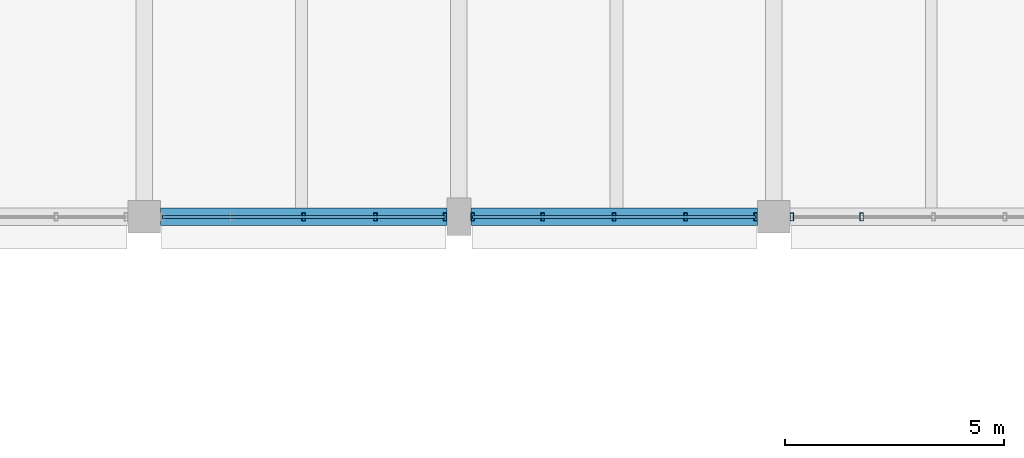
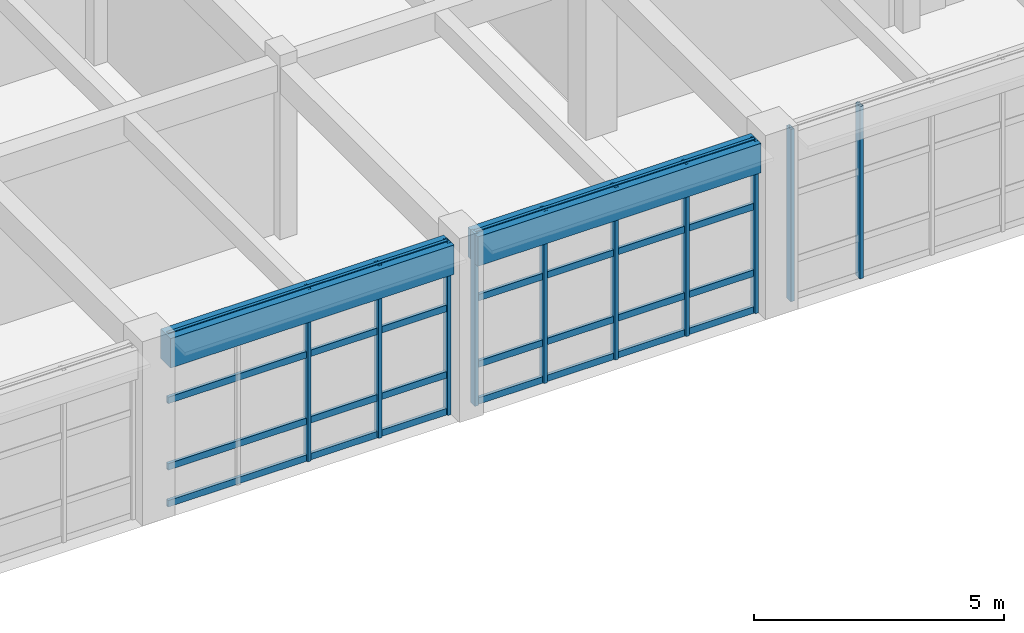
# One storey, part 61 of 171: 18 members, 2 beams, 3 elements without a shape of their own.
"""IFC4 building model written with IfcOpenShell, lengths in metres."""

from ifc_helpers import new_model, si_unit, direction, frame, origin, origin_2d, place, context, subcontext, project, spatial, rectangle, hollow_rectangle, extrude, material, material_profile, profile_set, type_object, element, aggregate, save


model = new_model("IFC4")

# Units and contexts
model_context = context("Model", 3, precision=1e-05, world=origin(), true_north=direction((0.0, 1.0)))
body_context = subcontext(model_context, "Body", "Model", "MODEL_VIEW")
ifc_project = project(units=[si_unit("LENGTHUNIT", "METRE"), si_unit("AREAUNIT", "SQUARE_METRE"), si_unit("VOLUMEUNIT", "CUBIC_METRE"), si_unit("PLANEANGLEUNIT", "RADIAN"), si_unit("MASSUNIT", "GRAM", prefix="KILO")], contexts=[model_context])

# Site, building, storey
site_placement = place(None, origin())
site = spatial("IfcSite", under=ifc_project, at=site_placement, CompositionType="ELEMENT")
building_placement = place(site_placement, origin())
building = spatial("IfcBuilding", under=site, at=building_placement, Name="Thalmaran Polytechnic", CompositionType="ELEMENT")
storey_placement = place(building_placement, frame((0.0, 0.0, 5.39990234375)))
storey = spatial("IfcBuildingStorey", under=building, at=storey_placement, Name="L01", CompositionType="ELEMENT", Elevation=5.39990234375)

# Beams
ifc_material_1 = material(Name="Concrete C40/50", Category="concrete")
ifc_material_profile_1 = material_profile(ifc_material_1, rectangle(XDim=0.39990234375, YDim=0.719970703125, at=origin_2d()), Name="RC 400x720")
ifc_profile_set_1 = profile_set([ifc_material_profile_1], Name="Concrete C40/50")
beam_type = type_object("IfcBeamType", Name="BM-SP01", PredefinedType="SPANDREL", material=ifc_profile_set_1)
for number, where, z_axis, x_axis, name in (
    (1, (43.574951171875, 93.60009765625, 3.85009765625), (1.0, 0.0, 0.0), (0.0, 1.0, 0.0), "Grid Beam SP01 L01 X(6,13)"),
    (2, (50.675048828125, 93.60009765625, 3.85009765625), (1.0, 0.0, 0.0), (0.0, 1.0, 0.0), "Grid Beam SP01 L01 X(7,13)"),
):
    element("IfcBeam", number, at=place(storey_placement, frame(where, z_axis=z_axis, x_axis=x_axis)), inside=storey, type_object=beam_type, Name=name, PredefinedType="SPANDREL", context=body_context, shape_type="SweptSolid", body=[
        extrude(rectangle(XDim=0.39990234375, YDim=0.719970703125, at=origin_2d()), origin(), (0.0, 0.0, 1.0), 6.550048828125),
    ])

# Curtain wall, members
ifc_material_2 = material(Name="Aluminium 6063-T6", Category="aluminium")
curtain_wall_type = type_object("IfcCurtainWallType", Name="CW-UC02", PredefinedType="USERDEFINED", material=ifc_material_2)
curtain_wall_1_placement = place(storey_placement, origin())
curtain_wall_1 = element("IfcCurtainWall", 3, at=curtain_wall_1_placement, inside=storey, type_object=curtain_wall_type, Name="Curtain Wall CW-L01-130", ObjectType="UNITISED CURTAIN WALL", PredefinedType="USERDEFINED")
ifc_material_profile_2 = material_profile(ifc_material_2, hollow_rectangle(XDim=0.080078125, YDim=0.179931640625, WallThickness=0.0048828125, at=origin_2d()), Name="RHS 180x80x5.0")
ifc_profile_set_2 = profile_set([ifc_material_profile_2], Name="Aluminium 6063-T6")
member_type_1 = type_object("IfcMemberType", Name="CW-MUL1", PredefinedType="MULLION", material=ifc_profile_set_2)
member_1_placement = place(storey_placement, frame((59.612548828125, 93.60009765625, 0.0), z_axis=(0.0, 0.0, 1.0), x_axis=(1.0, 0.0, 0.0)))
member_1 = element("IfcMember", 4, at=member_1_placement, type_object=member_type_1, Name="CW-L01-130 Mullion 4", PredefinedType="MULLION", context=body_context, shape_type="SweptSolid", body=[
    extrude(hollow_rectangle(XDim=0.080078125, YDim=0.179931640625, WallThickness=0.0048828125, at=origin_2d()), origin(), (0.0, 0.0, 1.0), 4.210205078125),
])
member_2_placement = place(storey_placement, frame((58.014892578125, 93.60009765625, 0.0), z_axis=(0.0, 0.0, 1.0), x_axis=(1.0, 0.0, 0.0)))
member_2 = element("IfcMember", 5, at=member_2_placement, type_object=member_type_1, Name="CW-L01-130 Mullion 5", PredefinedType="MULLION", context=body_context, shape_type="SweptSolid", body=[
    extrude(hollow_rectangle(XDim=0.080078125, YDim=0.179931640625, WallThickness=0.0048828125, at=origin_2d()), origin(), (0.0, 0.0, 1.0), 4.210205078125),
])
aggregate(curtain_wall_1, [member_1, member_2])

curtain_wall_2_placement = place(storey_placement, origin())
curtain_wall_2 = element("IfcCurtainWall", 6, at=curtain_wall_2_placement, inside=storey, type_object=curtain_wall_type, Name="Curtain Wall CW-L01-131", ObjectType="UNITISED CURTAIN WALL", PredefinedType="USERDEFINED")
member_3_placement = place(storey_placement, frame((57.18505859375, 93.60009765625, 0.0), z_axis=(0.0, 0.0, 1.0), x_axis=(1.0, 0.0, 0.0)))
member_3 = element("IfcMember", 7, at=member_3_placement, type_object=member_type_1, Name="CW-L01-131 Mullion 1", PredefinedType="MULLION", context=body_context, shape_type="SweptSolid", body=[
    extrude(hollow_rectangle(XDim=0.080078125, YDim=0.179931640625, WallThickness=0.0048828125, at=origin_2d()), origin(), (0.0, 0.0, 1.0), 4.210205078125),
])
member_4_placement = place(storey_placement, frame((55.58740234375, 93.60009765625, 0.0), z_axis=(0.0, 0.0, 1.0), x_axis=(1.0, 0.0, 0.0)))
member_4 = element("IfcMember", 8, at=member_4_placement, type_object=member_type_1, Name="CW-L01-131 Mullion 2", PredefinedType="MULLION", context=body_context, shape_type="SweptSolid", body=[
    extrude(hollow_rectangle(XDim=0.080078125, YDim=0.179931640625, WallThickness=0.0048828125, at=origin_2d()), origin(), (0.0, 0.0, 1.0), 4.210205078125),
])
member_5_placement = place(storey_placement, frame((53.949951171875, 93.60009765625, 0.0), z_axis=(0.0, 0.0, 1.0), x_axis=(1.0, 0.0, 0.0)))
member_5 = element("IfcMember", 9, at=member_5_placement, type_object=member_type_1, Name="CW-L01-131 Mullion 3", PredefinedType="MULLION", context=body_context, shape_type="SweptSolid", body=[
    extrude(hollow_rectangle(XDim=0.080078125, YDim=0.179931640625, WallThickness=0.0048828125, at=origin_2d()), origin(), (0.0, 0.0, 1.0), 4.210205078125),
])
member_6_placement = place(storey_placement, frame((52.3125, 93.60009765625, 0.0), z_axis=(0.0, 0.0, 1.0), x_axis=(1.0, 0.0, 0.0)))
member_6 = element("IfcMember", 10, at=member_6_placement, type_object=member_type_1, Name="CW-L01-131 Mullion 4", PredefinedType="MULLION", context=body_context, shape_type="SweptSolid", body=[
    extrude(hollow_rectangle(XDim=0.080078125, YDim=0.179931640625, WallThickness=0.0048828125, at=origin_2d()), origin(), (0.0, 0.0, 1.0), 4.210205078125),
])
member_7_placement = place(storey_placement, frame((50.715087890625, 93.60009765625, 0.0), z_axis=(0.0, 0.0, 1.0), x_axis=(1.0, 0.0, 0.0)))
member_7 = element("IfcMember", 11, at=member_7_placement, type_object=member_type_1, Name="CW-L01-131 Mullion 5", PredefinedType="MULLION", context=body_context, shape_type="SweptSolid", body=[
    extrude(hollow_rectangle(XDim=0.080078125, YDim=0.179931640625, WallThickness=0.0048828125, at=origin_2d()), origin(), (0.0, 0.0, 1.0), 4.210205078125),
])

curtain_wall_3_placement = place(storey_placement, origin())
curtain_wall_3 = element("IfcCurtainWall", 12, at=curtain_wall_3_placement, inside=storey, type_object=curtain_wall_type, Name="Curtain Wall CW-L01-132", ObjectType="UNITISED CURTAIN WALL", PredefinedType="USERDEFINED")
member_8_placement = place(storey_placement, frame((50.0849609375, 93.60009765625, 0.0), z_axis=(0.0, 0.0, 1.0), x_axis=(1.0, 0.0, 0.0)))
member_8 = element("IfcMember", 13, at=member_8_placement, type_object=member_type_1, Name="CW-L01-132 Mullion 1", PredefinedType="MULLION", context=body_context, shape_type="SweptSolid", body=[
    extrude(hollow_rectangle(XDim=0.080078125, YDim=0.179931640625, WallThickness=0.0048828125, at=origin_2d()), origin(), (0.0, 0.0, 1.0), 4.210205078125),
])
member_9_placement = place(storey_placement, frame((48.487548828125, 93.60009765625, 0.0), z_axis=(0.0, 0.0, 1.0), x_axis=(1.0, 0.0, 0.0)))
member_9 = element("IfcMember", 14, at=member_9_placement, type_object=member_type_1, Name="CW-L01-132 Mullion 2", PredefinedType="MULLION", context=body_context, shape_type="SweptSolid", body=[
    extrude(hollow_rectangle(XDim=0.080078125, YDim=0.179931640625, WallThickness=0.0048828125, at=origin_2d()), origin(), (0.0, 0.0, 1.0), 4.210205078125),
])
member_10_placement = place(storey_placement, frame((46.85009765625, 93.60009765625, 0.0), z_axis=(0.0, 0.0, 1.0), x_axis=(1.0, 0.0, 0.0)))
member_10 = element("IfcMember", 15, at=member_10_placement, type_object=member_type_1, Name="CW-L01-132 Mullion 3", PredefinedType="MULLION", context=body_context, shape_type="SweptSolid", body=[
    extrude(hollow_rectangle(XDim=0.080078125, YDim=0.179931640625, WallThickness=0.0048828125, at=origin_2d()), origin(), (0.0, 0.0, 1.0), 4.210205078125),
])

# Member
ifc_material_profile_3 = material_profile(ifc_material_2, hollow_rectangle(XDim=0.070068359375, YDim=0.159912109375, WallThickness=0.00390625, at=origin_2d()), Name="AL 160x70x4.0")
ifc_profile_set_3 = profile_set([ifc_material_profile_3], Name="Aluminium 6063-T6")
member_type_2 = type_object("IfcMemberType", Name="CW-TRN1", PredefinedType="USERDEFINED", material=ifc_profile_set_3)
member_11_placement = place(storey_placement, frame((57.18505859375, 93.60009765625, 0.06005859375), z_axis=(-1.0, 0.0, 0.0), x_axis=(0.0, -1.0, 0.0)))
member_11 = element("IfcMember", 16, at=member_11_placement, type_object=member_type_2, Name="CW-L01-131 Transom 1", ObjectType="TRANSOM", PredefinedType="USERDEFINED", context=body_context, shape_type="SweptSolid", body=[
    extrude(hollow_rectangle(XDim=0.070068359375, YDim=0.159912109375, WallThickness=0.00390625, at=origin_2d()), origin(), (0.0, 0.0, 1.0), 6.469970703125),
])

member_12_placement = place(storey_placement, frame((57.18505859375, 93.60009765625, 0.960205078125), z_axis=(-1.0, 0.0, 0.0), x_axis=(0.0, -1.0, 0.0)))
member_12 = element("IfcMember", 17, at=member_12_placement, type_object=member_type_2, Name="CW-L01-131 Transom 2", ObjectType="TRANSOM", PredefinedType="USERDEFINED", context=body_context, shape_type="SweptSolid", body=[
    extrude(hollow_rectangle(XDim=0.070068359375, YDim=0.159912109375, WallThickness=0.00390625, at=origin_2d()), origin(), (0.0, 0.0, 1.0), 6.469970703125),
])

member_13_placement = place(storey_placement, frame((57.18505859375, 93.60009765625, 2.585205078125), z_axis=(-1.0, 0.0, 0.0), x_axis=(0.0, -1.0, 0.0)))
member_13 = element("IfcMember", 18, at=member_13_placement, type_object=member_type_2, Name="CW-L01-131 Transom 3", ObjectType="TRANSOM", PredefinedType="USERDEFINED", context=body_context, shape_type="SweptSolid", body=[
    extrude(hollow_rectangle(XDim=0.070068359375, YDim=0.159912109375, WallThickness=0.00390625, at=origin_2d()), origin(), (0.0, 0.0, 1.0), 6.469970703125),
])

member_14_placement = place(storey_placement, frame((57.18505859375, 93.60009765625, 4.150146484375), z_axis=(-1.0, 0.0, 0.0), x_axis=(0.0, -1.0, 0.0)))
member_14 = element("IfcMember", 19, at=member_14_placement, type_object=member_type_2, Name="CW-L01-131 Transom 4", ObjectType="TRANSOM", PredefinedType="USERDEFINED", context=body_context, shape_type="SweptSolid", body=[
    extrude(hollow_rectangle(XDim=0.070068359375, YDim=0.159912109375, WallThickness=0.00390625, at=origin_2d()), origin(), (0.0, 0.0, 1.0), 6.469970703125),
])

aggregate(curtain_wall_2, [member_3, member_4, member_5, member_6, member_7, member_11, member_12, member_13, member_14])

member_15_placement = place(storey_placement, frame((50.0849609375, 93.60009765625, 0.06005859375), z_axis=(-1.0, 0.0, 0.0), x_axis=(0.0, -1.0, 0.0)))
member_15 = element("IfcMember", 20, at=member_15_placement, type_object=member_type_2, Name="CW-L01-132 Transom 1", ObjectType="TRANSOM", PredefinedType="USERDEFINED", context=body_context, shape_type="SweptSolid", body=[
    extrude(hollow_rectangle(XDim=0.070068359375, YDim=0.159912109375, WallThickness=0.00390625, at=origin_2d()), origin(), (0.0, 0.0, 1.0), 6.469970703125),
])

member_16_placement = place(storey_placement, frame((50.0849609375, 93.60009765625, 0.960205078125), z_axis=(-1.0, 0.0, 0.0), x_axis=(0.0, -1.0, 0.0)))
member_16 = element("IfcMember", 21, at=member_16_placement, type_object=member_type_2, Name="CW-L01-132 Transom 2", ObjectType="TRANSOM", PredefinedType="USERDEFINED", context=body_context, shape_type="SweptSolid", body=[
    extrude(hollow_rectangle(XDim=0.070068359375, YDim=0.159912109375, WallThickness=0.00390625, at=origin_2d()), origin(), (0.0, 0.0, 1.0), 6.469970703125),
])

member_17_placement = place(storey_placement, frame((50.0849609375, 93.60009765625, 2.585205078125), z_axis=(-1.0, 0.0, 0.0), x_axis=(0.0, -1.0, 0.0)))
member_17 = element("IfcMember", 22, at=member_17_placement, type_object=member_type_2, Name="CW-L01-132 Transom 3", ObjectType="TRANSOM", PredefinedType="USERDEFINED", context=body_context, shape_type="SweptSolid", body=[
    extrude(hollow_rectangle(XDim=0.070068359375, YDim=0.159912109375, WallThickness=0.00390625, at=origin_2d()), origin(), (0.0, 0.0, 1.0), 6.469970703125),
])

member_18_placement = place(storey_placement, frame((50.0849609375, 93.60009765625, 4.150146484375), z_axis=(-1.0, 0.0, 0.0), x_axis=(0.0, -1.0, 0.0)))
member_18 = element("IfcMember", 23, at=member_18_placement, type_object=member_type_2, Name="CW-L01-132 Transom 4", ObjectType="TRANSOM", PredefinedType="USERDEFINED", context=body_context, shape_type="SweptSolid", body=[
    extrude(hollow_rectangle(XDim=0.070068359375, YDim=0.159912109375, WallThickness=0.00390625, at=origin_2d()), origin(), (0.0, 0.0, 1.0), 6.469970703125),
])

aggregate(curtain_wall_3, [member_8, member_9, member_10, member_15, member_16, member_17, member_18])

save(model, "model.ifc")
